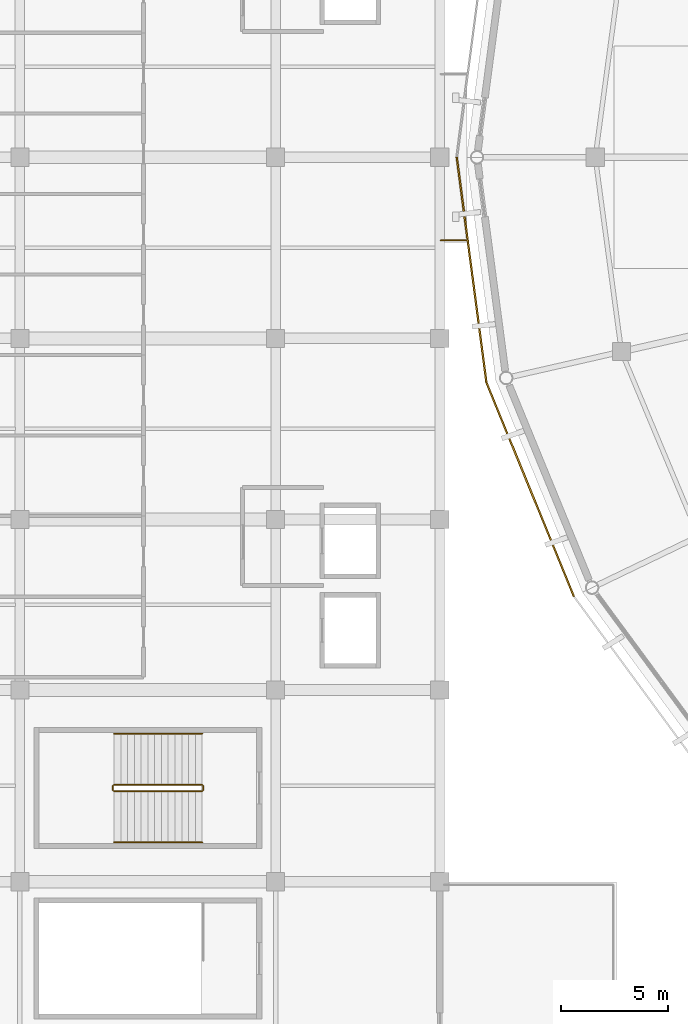
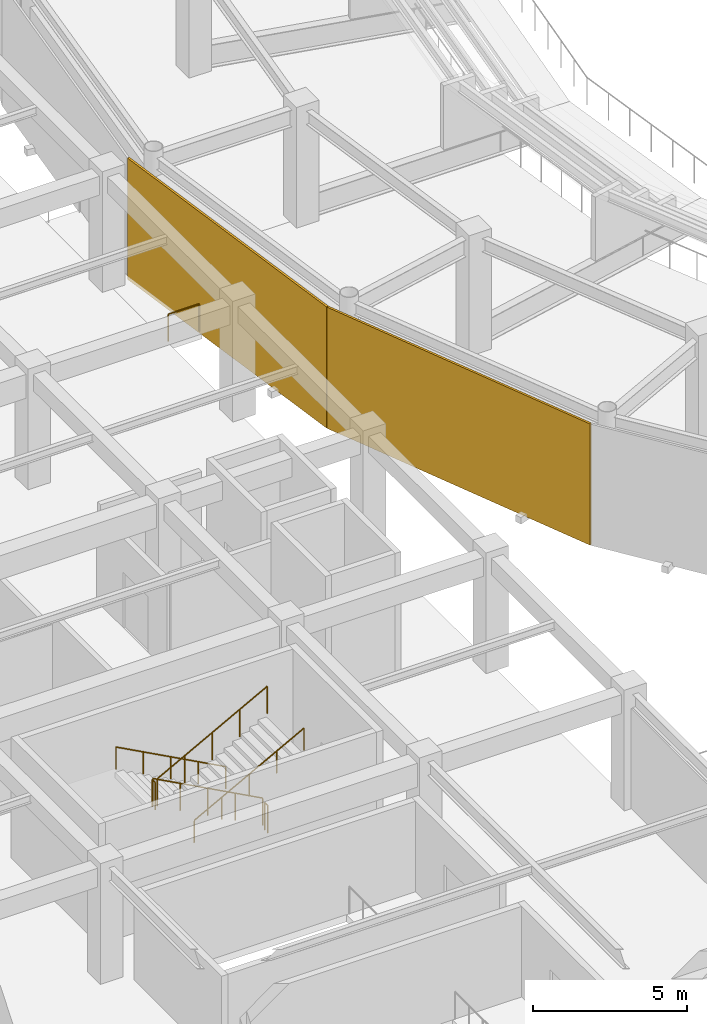
# One storey, part 113 of 122: 7 railings, 2 coverings.
"""IFC4 building model written with IfcOpenShell, lengths in metres."""

from ifc_helpers import new_model, si_unit, direction, frame, frame_2d, origin, origin_2d, place, context, subcontext, project, spatial, rectangle, circle, extrude, material, layer, layer_set, type_object, element, save


model = new_model("IFC4")

# Units and contexts
model_context = context("Model", 3, precision=1e-05, world=origin(), true_north=direction((0.0, 1.0)))
body_context = subcontext(model_context, "Body", "Model", "MODEL_VIEW")
ifc_project = project(units=[si_unit("LENGTHUNIT", "METRE"), si_unit("AREAUNIT", "SQUARE_METRE"), si_unit("VOLUMEUNIT", "CUBIC_METRE"), si_unit("PLANEANGLEUNIT", "RADIAN"), si_unit("MASSUNIT", "GRAM", prefix="KILO")], contexts=[model_context])

# Site, building, storey
site_placement = place(None, origin())
site = spatial("IfcSite", under=ifc_project, at=site_placement, CompositionType="ELEMENT")
building_placement = place(site_placement, origin())
building = spatial("IfcBuilding", under=site, at=building_placement, Name="Cuetzalor Civic Arena", CompositionType="ELEMENT")
storey_placement = place(building_placement, frame((0.0, 0.0, 16.199951171875)))
storey = spatial("IfcBuildingStorey", under=building, at=storey_placement, Name="L03", CompositionType="ELEMENT", Elevation=16.199951171875)

# Railings
ifc_material_1 = material(Name="Reseda-green architectural Steel S355 balustrade", Category="steel")
railing_type_1 = type_object("IfcRailingType", Name="InteriorVoidBalustrade_1100", PredefinedType="BALUSTRADE", material=ifc_material_1)
railing_1_placement = place(storey_placement, frame((-67.449951171875, -29.449951171875, 0.17138671875)))
element("IfcRailing", 1, at=railing_1_placement, inside=storey, type_object=railing_type_1, Name="L03 ST-16 stair guard 1", PredefinedType="BALUSTRADE", context=body_context, shape_type="SweptSolid", body=[
    extrude(circle(Radius=0.02392578125, at=origin_2d()), frame((0.0, 0.0, 1.0810546875), z_axis=(-0.880227283719, 0.0, 0.474552345897), x_axis=(0.0, -1.0, 0.0)), (0.0, 0.0, 1.0), 4.696533203125),
    extrude(circle(Radius=0.02099609375, at=origin_2d()), origin(), (0.0, 0.0, 1.0), 1.056884765625),
    extrude(circle(Radius=0.02099609375, at=origin_2d()), frame((-1.033447265625, 0.0, 0.55712890625)), (0.0, 0.0, 1.0), 1.056884765625),
    extrude(circle(Radius=0.02099609375, at=origin_2d()), frame((-2.06689453125, 0.0, 1.1142578125)), (0.0, 0.0, 1.0), 1.056884765625),
    extrude(circle(Radius=0.02099609375, at=origin_2d()), frame((-3.1005859375, 0.0, 1.671630859375)), (0.0, 0.0, 1.0), 1.056884765625),
    extrude(circle(Radius=0.02099609375, at=origin_2d()), frame((-4.134033203125, 0.0, 2.228759765625)), (0.0, 0.0, 1.0), 1.056884765625),
])
railing_2_placement = place(storey_placement, frame((-71.634033203125, -29.5, 2.400146484375)))
element("IfcRailing", 2, at=railing_2_placement, inside=storey, type_object=railing_type_1, Name="L03 ST-16 stair guard 2", PredefinedType="BALUSTRADE", context=body_context, shape_type="SweptSolid", body=[
    extrude(circle(Radius=0.02392578125, at=origin_2d()), frame((0.0, 0.0, 1.0810546875), z_axis=(0.0, -1.0, 0.0), x_axis=(1.0, 0.0, 0.0)), (0.0, 0.0, 1.0), 0.199951171875),
    extrude(circle(Radius=0.02099609375, at=origin_2d()), origin(), (0.0, 0.0, 1.0), 1.056884765625),
    extrude(circle(Radius=0.02099609375, at=origin_2d()), frame((0.0, -0.199951171875, 0.0)), (0.0, 0.0, 1.0), 1.056884765625),
])
railing_3_placement = place(storey_placement, frame((-71.583984375, -29.75, 2.571533203125)))
element("IfcRailing", 3, at=railing_3_placement, inside=storey, type_object=railing_type_1, Name="L03 ST-16 stair guard 3", PredefinedType="BALUSTRADE", context=body_context, shape_type="SweptSolid", body=[
    extrude(circle(Radius=0.02392578125, at=origin_2d()), frame((0.0, 0.0, 1.0810546875), z_axis=(0.880248997335, 0.0, 0.474512068014), x_axis=(0.0, 1.0, 0.0)), (0.0, 0.0, 1.0), 4.696533203125),
    extrude(circle(Radius=0.02099609375, at=origin_2d()), origin(), (0.0, 0.0, 1.0), 1.056884765625),
    extrude(circle(Radius=0.02099609375, at=origin_2d()), frame((1.033447265625, 0.0, 0.55712890625)), (0.0, 0.0, 1.0), 1.056884765625),
    extrude(circle(Radius=0.02099609375, at=origin_2d()), frame((2.06689453125, 0.0, 1.1142578125)), (0.0, 0.0, 1.0), 1.056884765625),
    extrude(circle(Radius=0.02099609375, at=origin_2d()), frame((3.1005859375, 0.0, 1.67138671875)), (0.0, 0.0, 1.0), 1.056884765625),
    extrude(circle(Radius=0.02099609375, at=origin_2d()), frame((4.134033203125, 0.0, 2.228515625)), (0.0, 0.0, 1.0), 1.056884765625),
])
railing_4_placement = place(storey_placement, frame((-67.39990234375, -29.5, 0.0)))
element("IfcRailing", 4, at=railing_4_placement, inside=storey, type_object=railing_type_1, Name="L03 ST-16 stair guard 4", PredefinedType="BALUSTRADE", context=body_context, shape_type="SweptSolid", body=[
    extrude(circle(Radius=0.02392578125, at=origin_2d()), frame((0.0, 0.0, 1.0810546875), z_axis=(0.0, -1.0, 0.0), x_axis=(1.0, 0.0, 0.0)), (0.0, 0.0, 1.0), 0.199951171875),
    extrude(circle(Radius=0.02099609375, at=origin_2d()), origin(), (0.0, 0.0, 1.0), 1.056884765625),
    extrude(circle(Radius=0.02099609375, at=origin_2d()), frame((0.0, -0.199951171875, 0.0)), (0.0, 0.0, 1.0), 1.056884765625),
])
railing_5_placement = place(storey_placement, frame((-56.25, -3.89990234375, 0.0)))
element("IfcRailing", 5, at=railing_5_placement, inside=storey, type_object=railing_type_1, Name="Seismic Bridge Balustrade V4W L03 S", PredefinedType="BALUSTRADE", context=body_context, shape_type="SweptSolid", body=[
    extrude(circle(Radius=0.02392578125, at=origin_2d()), frame((0.0, 0.0, 1.076171875), z_axis=(1.0, 0.0, 0.0), x_axis=(0.0, 1.0, 0.0)), (0.0, 0.0, 1.0), 1.169921875),
    extrude(circle(Radius=0.02099609375, at=origin_2d()), origin(), (0.0, 0.0, 1.0), 1.052001953125),
    extrude(circle(Radius=0.02099609375, at=origin_2d()), frame((1.169921875, 0.0, 0.0)), (0.0, 0.0, 1.0), 1.052001953125),
])
ifc_material_2 = material(Name="Galvanised steel S355", Category="steel")
railing_type_2 = type_object("IfcRailingType", Name="StairPitchHandrail_900", PredefinedType="HANDRAIL", material=ifc_material_2)
railing_6_placement = place(storey_placement, frame((-67.449951171875, -27.050048828125, 0.17138671875)))
element("IfcRailing", 6, at=railing_6_placement, inside=storey, type_object=railing_type_2, Name="L03 ST-16 stair handrail 1", PredefinedType="HANDRAIL", context=body_context, shape_type="SweptSolid", body=[
    extrude(circle(Radius=0.02392578125, at=origin_2d()), frame((0.0, 0.0, 0.8759765625), z_axis=(-0.880227283719, 0.0, 0.474552345897), x_axis=(0.0, -1.0, 0.0)), (0.0, 0.0, 1.0), 4.696533203125),
    extrude(circle(Radius=0.02099609375, at=origin_2d()), origin(), (0.0, 0.0, 1.0), 0.851806640625),
    extrude(circle(Radius=0.02099609375, at=origin_2d()), frame((-1.033447265625, 0.0, 0.55712890625)), (0.0, 0.0, 1.0), 0.851806640625),
    extrude(circle(Radius=0.02099609375, at=origin_2d()), frame((-2.06689453125, 0.0, 1.1142578125)), (0.0, 0.0, 1.0), 0.851806640625),
    extrude(circle(Radius=0.02099609375, at=origin_2d()), frame((-3.1005859375, 0.0, 1.671630859375)), (0.0, 0.0, 1.0), 0.851806640625),
    extrude(circle(Radius=0.02099609375, at=origin_2d()), frame((-4.134033203125, 0.0, 2.228759765625)), (0.0, 0.0, 1.0), 0.851806640625),
])
railing_7_placement = place(storey_placement, frame((-71.583984375, -32.14990234375, 2.571533203125)))
element("IfcRailing", 7, at=railing_7_placement, inside=storey, type_object=railing_type_2, Name="L03 ST-16 stair handrail 2", PredefinedType="HANDRAIL", context=body_context, shape_type="SweptSolid", body=[
    extrude(circle(Radius=0.02392578125, at=origin_2d()), frame((0.0, 0.0, 0.8759765625), z_axis=(0.880248997335, 0.0, 0.474512068014), x_axis=(0.0, 1.0, 0.0)), (0.0, 0.0, 1.0), 4.696533203125),
    extrude(circle(Radius=0.02099609375, at=origin_2d()), origin(), (0.0, 0.0, 1.0), 0.851806640625),
    extrude(circle(Radius=0.02099609375, at=origin_2d()), frame((1.033447265625, 0.0, 0.55712890625)), (0.0, 0.0, 1.0), 0.851806640625),
    extrude(circle(Radius=0.02099609375, at=origin_2d()), frame((2.06689453125, 0.0, 1.1142578125)), (0.0, 0.0, 1.0), 0.851806640625),
    extrude(circle(Radius=0.02099609375, at=origin_2d()), frame((3.1005859375, 0.0, 1.67138671875)), (0.0, 0.0, 1.0), 0.851806640625),
    extrude(circle(Radius=0.02099609375, at=origin_2d()), frame((4.134033203125, 0.0, 2.228515625)), (0.0, 0.0, 1.0), 0.851806640625),
])

# Coverings
ifc_material_3 = material(Name="Terracotta-red perforated anodised aluminium panel", Category="masonry")
ifc_layer = layer(ifc_material_3, 0.080078125)
ifc_layer_set = layer_set([ifc_layer], Name="Terracotta-red perforated anodised aluminium panel")
covering_type = type_object("IfcCoveringType", Name="TerracottaPerforatedScreenPanel", PredefinedType="CLADDING", material=ifc_layer_set)
covering_1_placement = place(storey_placement, frame((-54.1083984375, -10.569580078125, -0.139892578125), z_axis=(0.0, 0.0, 1.0), x_axis=(-0.130534485624, 0.991443769491, 0.0)))
element("IfcCovering", 8, at=covering_1_placement, inside=storey, type_object=covering_type, Name="Terracotta Perforated Drum Screen L03-S15", PredefinedType="CLADDING", context=body_context, shape_type="SweptSolid", body=[
    extrude(rectangle(XDim=10.660888671875, YDim=0.080078125, at=frame_2d((5.33056640625, 0.0))), origin(), (0.0, 0.0, 1.0), 4.81982421875),
])
covering_2_placement = place(storey_placement, frame((-50.00390625, -20.609619140625, -0.139892578125), z_axis=(0.0, 0.0, 1.0), x_axis=(-0.378411973316, 0.925637282336, 0.0)))
element("IfcCovering", 9, at=covering_2_placement, inside=storey, type_object=covering_type, Name="Terracotta Perforated Drum Screen L03-S16", PredefinedType="CLADDING", context=body_context, shape_type="SweptSolid", body=[
    extrude(rectangle(XDim=10.8466796875, YDim=0.080078125, at=frame_2d((5.42333984375, 0.0))), origin(), (0.0, 0.0, 1.0), 4.81982421875),
])

save(model, "model.ifc")
